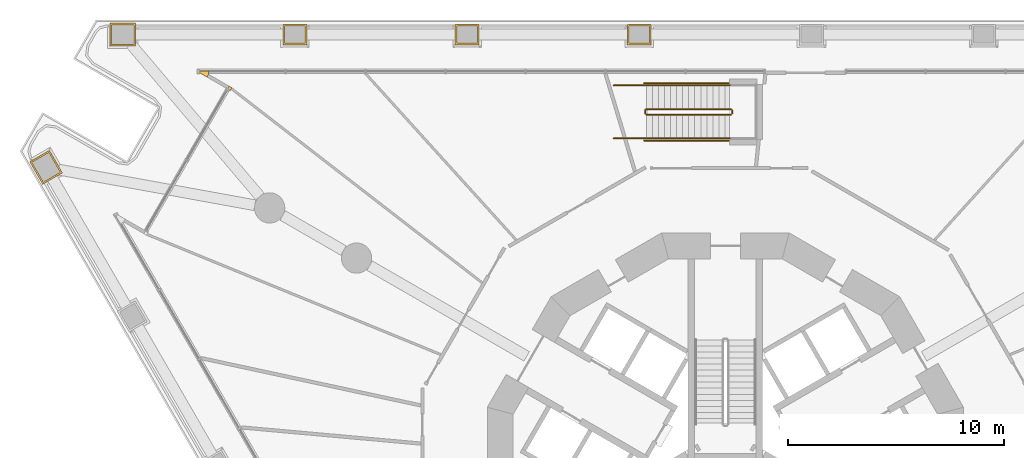
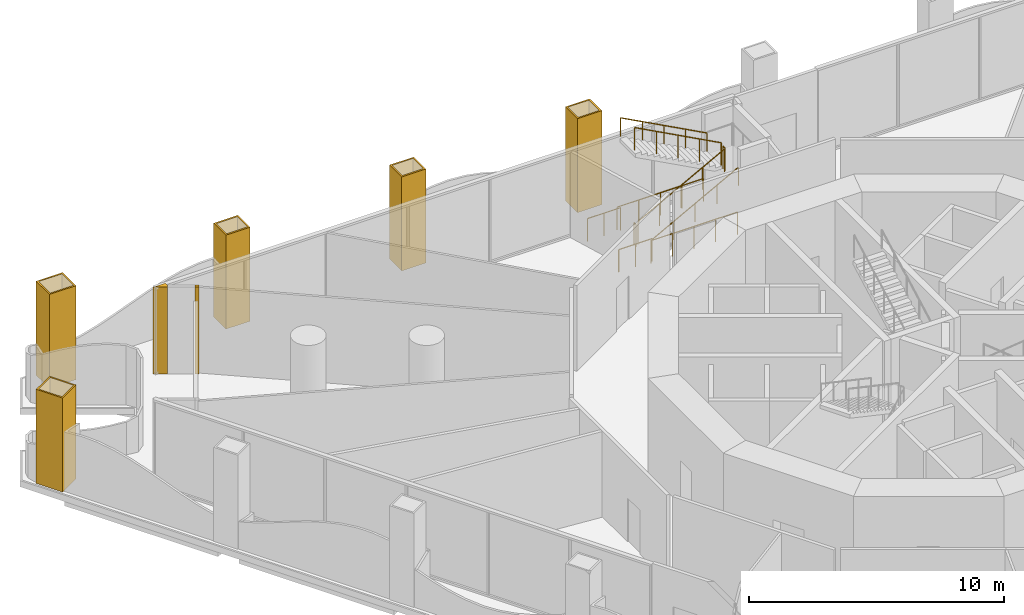
# One storey, part 19 of 21: 10 railings, 7 coverings.
"""IFC4 building model written with IfcOpenShell, lengths in metres."""

from ifc_helpers import new_model, si_unit, direction, frame, origin, origin_2d, place, context, subcontext, project, spatial, polyline, circle, outline, extrude, material, layer, layer_set, type_object, element, save


model = new_model("IFC4")

# Units and contexts
model_context = context("Model", 3, precision=1e-05, world=origin(), true_north=direction((0.0, 1.0)))
body_context = subcontext(model_context, "Body", "Model", "MODEL_VIEW")
ifc_project = project(units=[si_unit("LENGTHUNIT", "METRE"), si_unit("AREAUNIT", "SQUARE_METRE"), si_unit("VOLUMEUNIT", "CUBIC_METRE"), si_unit("PLANEANGLEUNIT", "RADIAN"), si_unit("MASSUNIT", "GRAM", prefix="KILO")], contexts=[model_context])

# Site, building, storey
site_placement = place(None, origin())
site = spatial("IfcSite", under=ifc_project, at=site_placement, CompositionType="ELEMENT")
building_placement = place(site_placement, origin())
building = spatial("IfcBuilding", under=site, at=building_placement, Name="Trine Commons Tower", CompositionType="ELEMENT")
storey_placement = place(building_placement, frame((0.0, 0.0, 13.5)))
storey = spatial("IfcBuildingStorey", under=building, at=storey_placement, Name="L02", CompositionType="ELEMENT", Elevation=13.5)

# Railings
ifc_material_1 = material(Name="Structural steel ASTM A500 Gr C", Category="steel")
railing_type_1 = type_object("IfcRailingType", Name="Glass and steel guard 1100 mm, ASTM A500 Gr C", PredefinedType="GUARDRAIL", material=ifc_material_1)
railing_1_placement = place(storey_placement, frame((76.340087890625, 78.985107421875, 0.14990234375)))
element("IfcRailing", 1, at=railing_1_placement, inside=storey, type_object=railing_type_1, Name="L02 PS1 stair guard 1", PredefinedType="GUARDRAIL", context=body_context, shape_type="SweptSolid", body=[
    extrude(circle(Radius=0.02392578125, at=origin_2d()), frame((0.0, 0.0, 1.076171875), z_axis=(0.881466911329, 0.0, 0.472245787945), x_axis=(0.0, 1.0, 0.0)), (0.0, 0.0, 1.0), 4.447021484375),
    extrude(circle(Radius=0.02099609375, at=origin_2d()), origin(), (0.0, 0.0, 1.0), 1.052001953125),
    extrude(circle(Radius=0.02099609375, at=origin_2d()), frame((0.97998046875, 0.0, 0.52490234375)), (0.0, 0.0, 1.0), 1.052001953125),
    extrude(circle(Radius=0.02099609375, at=origin_2d()), frame((1.9599609375, 0.0, 1.050048828125)), (0.0, 0.0, 1.0), 1.052001953125),
    extrude(circle(Radius=0.02099609375, at=origin_2d()), frame((2.93994140625, 0.0, 1.5751953125)), (0.0, 0.0, 1.0), 1.052001953125),
    extrude(circle(Radius=0.02099609375, at=origin_2d()), frame((3.919921875, 0.0, 2.10009765625)), (0.0, 0.0, 1.0), 1.052001953125),
])
railing_2_placement = place(storey_placement, frame((80.31005859375, 79.034912109375, 2.25)))
element("IfcRailing", 2, at=railing_2_placement, inside=storey, type_object=railing_type_1, Name="L02 PS1 stair guard 2", PredefinedType="GUARDRAIL", context=body_context, shape_type="SweptSolid", body=[
    extrude(circle(Radius=0.02392578125, at=origin_2d()), frame((0.0, 0.0, 1.076171875), z_axis=(0.0, 1.0, 0.0), x_axis=(-1.0, 0.0, 0.0)), (0.0, 0.0, 1.0), 0.150146484375),
    extrude(circle(Radius=0.02099609375, at=origin_2d()), origin(), (0.0, 0.0, 1.0), 1.052001953125),
    extrude(circle(Radius=0.02099609375, at=origin_2d()), frame((0.0, 0.150146484375, 0.0)), (0.0, 0.0, 1.0), 1.052001953125),
])
railing_3_placement = place(storey_placement, frame((80.260009765625, 79.235107421875, 2.39990234375)))
element("IfcRailing", 3, at=railing_3_placement, inside=storey, type_object=railing_type_1, Name="L02 PS1 stair guard 6", PredefinedType="GUARDRAIL", context=body_context, shape_type="SweptSolid", body=[
    extrude(circle(Radius=0.02392578125, at=origin_2d()), frame((0.0, 0.0, 1.076171875), z_axis=(-0.881466911329, 0.0, 0.472245787945), x_axis=(0.0, -1.0, 0.0)), (0.0, 0.0, 1.0), 4.447021484375),
    extrude(circle(Radius=0.02099609375, at=origin_2d()), origin(), (0.0, 0.0, 1.0), 1.052001953125),
    extrude(circle(Radius=0.02099609375, at=origin_2d()), frame((-0.97998046875, 0.0, 0.52490234375)), (0.0, 0.0, 1.0), 1.052001953125),
    extrude(circle(Radius=0.02099609375, at=origin_2d()), frame((-1.9599609375, 0.0, 1.050048828125)), (0.0, 0.0, 1.0), 1.052001953125),
    extrude(circle(Radius=0.02099609375, at=origin_2d()), frame((-2.93994140625, 0.0, 1.5751953125)), (0.0, 0.0, 1.0), 1.052001953125),
    extrude(circle(Radius=0.02099609375, at=origin_2d()), frame((-3.919921875, 0.0, 2.10009765625)), (0.0, 0.0, 1.0), 1.052001953125),
])
railing_4_placement = place(storey_placement, frame((76.2900390625, 79.034912109375, 0.0)))
element("IfcRailing", 4, at=railing_4_placement, inside=storey, type_object=railing_type_1, Name="L02 PS1 stair guard 7", PredefinedType="GUARDRAIL", context=body_context, shape_type="SweptSolid", body=[
    extrude(circle(Radius=0.02392578125, at=origin_2d()), frame((0.0, 0.0, 1.076171875), z_axis=(0.0, 1.0, 0.0), x_axis=(-1.0, 0.0, 0.0)), (0.0, 0.0, 1.0), 0.150146484375),
    extrude(circle(Radius=0.02099609375, at=origin_2d()), origin(), (0.0, 0.0, 1.0), 1.052001953125),
    extrude(circle(Radius=0.02099609375, at=origin_2d()), frame((0.0, 0.150146484375, 0.0)), (0.0, 0.0, 1.0), 1.052001953125),
])
for number, where, name in (
    (5, (74.840087890625, 77.885009765625, 0.0), "L02 PS1 stair guard 8"),
    (6, (74.840087890625, 80.3349609375, 0.0), "L02 PS1 stair guard 9"),
):
    element("IfcRailing", number, at=place(storey_placement, frame(where)), inside=storey, type_object=railing_type_1, Name=name, PredefinedType="GUARDRAIL", context=body_context, shape_type="SweptSolid", body=[
        extrude(circle(Radius=0.02392578125, at=origin_2d()), frame((0.0, 0.0, 1.076171875), z_axis=(1.0, 0.0, 0.0), x_axis=(0.0, 1.0, 0.0)), (0.0, 0.0, 1.0), 1.5),
        extrude(circle(Radius=0.02099609375, at=origin_2d()), origin(), (0.0, 0.0, 1.0), 1.052001953125),
        extrude(circle(Radius=0.02099609375, at=origin_2d()), frame((0.75, 0.0, 0.0)), (0.0, 0.0, 1.0), 1.052001953125),
        extrude(circle(Radius=0.02099609375, at=origin_2d()), frame((1.5, 0.0, 0.0)), (0.0, 0.0, 1.0), 1.052001953125),
    ])
for number, where, name in (
    (7, (76.239990234375, 77.784912109375, 0.0), "L02 PS1 stair guard 10"),
    (8, (76.239990234375, 80.43505859375, 0.0), "L02 PS1 stair guard 11"),
):
    element("IfcRailing", number, at=place(storey_placement, frame(where)), inside=storey, type_object=railing_type_1, Name=name, PredefinedType="GUARDRAIL", context=body_context, shape_type="SweptSolid", body=[
        extrude(circle(Radius=0.02392578125, at=origin_2d()), frame((0.0, 0.0, 1.076171875), z_axis=(1.0, 0.0, 0.0), x_axis=(0.0, 1.0, 0.0)), (0.0, 0.0, 1.0), 3.909912109375),
        extrude(circle(Radius=0.02099609375, at=origin_2d()), origin(), (0.0, 0.0, 1.0), 1.052001953125),
        extrude(circle(Radius=0.02099609375, at=origin_2d()), frame((0.9775390625, 0.0, 0.0)), (0.0, 0.0, 1.0), 1.052001953125),
        extrude(circle(Radius=0.02099609375, at=origin_2d()), frame((1.955078125, 0.0, 0.0)), (0.0, 0.0, 1.0), 1.052001953125),
        extrude(circle(Radius=0.02099609375, at=origin_2d()), frame((2.932373046875, 0.0, 0.0)), (0.0, 0.0, 1.0), 1.052001953125),
        extrude(circle(Radius=0.02099609375, at=origin_2d()), frame((3.909912109375, 0.0, 0.0)), (0.0, 0.0, 1.0), 1.052001953125),
    ])

# Coverings
ifc_material_2 = material(Name="Aluminium-framed insulated wall panel", Category="aluminium")
ifc_layer_1 = layer(ifc_material_2, 0.14990234375)
ifc_layer_set_1 = layer_set([ifc_layer_1], Name="Aluminium-framed insulated wall panel")
covering_type_1 = type_object("IfcCoveringType", Name="Glazing corner post, aluminium", PredefinedType="CLADDING", material=ifc_layer_set_1)
covering_1_placement = place(storey_placement, origin())
element("IfcCovering", 9, at=covering_1_placement, inside=storey, type_object=covering_type_1, Name="Glazing corner post 1-03", PredefinedType="CLADDING", context=body_context, shape_type="SweptSolid", body=[
    extrude(outline(polyline([(57.101318359375, 80.0966796875), (57.176513671875, 80.226806640625), (57.04638671875, 80.3017578125), (56.971435546875, 80.171875), (57.101318359375, 80.0966796875)])), origin(), (0.0, 0.0, 1.0), 4.14990234375),
])
covering_2_placement = place(storey_placement, origin())
element("IfcCovering", 10, at=covering_2_placement, inside=storey, type_object=covering_type_1, Name="Glazing corner post 1-04", PredefinedType="CLADDING", context=body_context, shape_type="SweptSolid", body=[
    extrude(outline(polyline([(56.03125, 80.714599609375), (56.106201171875, 80.844482421875), (56.106201171875, 80.99462890625), (55.54638671875, 80.99462890625), (56.03125, 80.714599609375)])), origin(), (0.0, 0.0, 1.0), 4.14990234375),
])
ifc_material_3 = material(Name="Limestone, honed", Category="masonry")
ifc_layer_2 = layer(ifc_material_3, 0.074951171875)
ifc_layer_set_2 = layer_set([ifc_layer_2], Name="Limestone, honed")
covering_type_2 = type_object("IfcCoveringType", Name="Limestone column cladding 75", PredefinedType="CLADDING", material=ifc_layer_set_2)
covering_3_placement = place(storey_placement, origin())
element("IfcCovering", 11, at=covering_3_placement, inside=storey, type_object=covering_type_2, Name="Limestone pier cladding 1-08", PredefinedType="CLADDING", context=body_context, shape_type="SweptSolid", body=[
    extrude(outline(polyline([(48.73828125, 77.327392578125), (47.8291015625, 76.802490234375), (48.428955078125, 75.76318359375), (49.33837890625, 76.288330078125), (48.73828125, 77.327392578125)]), holes=[polyline([(48.7109375, 77.22509765625), (47.931396484375, 76.775146484375), (48.45654296875, 75.86572265625), (49.23583984375, 76.315673828125), (48.7109375, 77.22509765625)])]), origin(), (0.0, 0.0, 1.0), 4.5),
])
covering_4_placement = place(storey_placement, origin())
element("IfcCovering", 12, at=covering_4_placement, inside=storey, type_object=covering_type_2, Name="Limestone pier cladding 1-09", PredefinedType="CLADDING", context=body_context, shape_type="SweptSolid", body=[
    extrude(outline(polyline([(52.728271484375, 82.15966796875), (52.728271484375, 83.209716796875), (51.5283203125, 83.209716796875), (51.5283203125, 82.15966796875), (52.728271484375, 82.15966796875)]), holes=[polyline([(52.6533203125, 82.234619140625), (52.6533203125, 83.134521484375), (51.603271484375, 83.134521484375), (51.603271484375, 82.234619140625), (52.6533203125, 82.234619140625)])]), origin(), (0.0, 0.0, 1.0), 4.5),
])
covering_5_placement = place(storey_placement, origin())
element("IfcCovering", 13, at=covering_5_placement, inside=storey, type_object=covering_type_2, Name="Limestone pier cladding 1-10", PredefinedType="CLADDING", context=body_context, shape_type="SweptSolid", body=[
    extrude(outline(polyline([(60.6416015625, 82.209716796875), (60.6416015625, 83.15966796875), (59.54150390625, 83.15966796875), (59.54150390625, 82.209716796875), (60.6416015625, 82.209716796875)]), holes=[polyline([(60.566650390625, 82.28466796875), (60.566650390625, 83.084716796875), (59.61669921875, 83.084716796875), (59.61669921875, 82.28466796875), (60.566650390625, 82.28466796875)])]), origin(), (0.0, 0.0, 1.0), 4.5),
])
covering_6_placement = place(storey_placement, origin())
element("IfcCovering", 14, at=covering_6_placement, inside=storey, type_object=covering_type_2, Name="Limestone pier cladding 1-11", PredefinedType="CLADDING", context=body_context, shape_type="SweptSolid", body=[
    extrude(outline(polyline([(68.60498046875, 82.209716796875), (68.60498046875, 83.15966796875), (67.5048828125, 83.15966796875), (67.5048828125, 82.209716796875), (68.60498046875, 82.209716796875)]), holes=[polyline([(68.52978515625, 82.28466796875), (68.52978515625, 83.084716796875), (67.579833984375, 83.084716796875), (67.579833984375, 82.28466796875), (68.52978515625, 82.28466796875)])]), origin(), (0.0, 0.0, 1.0), 4.5),
])
covering_7_placement = place(storey_placement, origin())
element("IfcCovering", 15, at=covering_7_placement, inside=storey, type_object=covering_type_2, Name="Limestone pier cladding 1-12", PredefinedType="CLADDING", context=body_context, shape_type="SweptSolid", body=[
    extrude(outline(polyline([(76.568359375, 82.209716796875), (76.568359375, 83.15966796875), (75.46826171875, 83.15966796875), (75.46826171875, 82.209716796875), (76.568359375, 82.209716796875)]), holes=[polyline([(76.493408203125, 82.28466796875), (76.493408203125, 83.084716796875), (75.543212890625, 83.084716796875), (75.543212890625, 82.28466796875), (76.493408203125, 82.28466796875)])]), origin(), (0.0, 0.0, 1.0), 4.5),
])

# Railings
railing_type_2 = type_object("IfcRailingType", Name="Podium stair handrail 900 mm, ASTM A500 Gr C", PredefinedType="HANDRAIL", material=ifc_material_1)
railing_5_placement = place(storey_placement, frame((76.340087890625, 77.885009765625, 0.14990234375)))
element("IfcRailing", 16, at=railing_5_placement, inside=storey, type_object=railing_type_2, Name="L02 PS1 stair handrail 1", PredefinedType="HANDRAIL", context=body_context, shape_type="SweptSolid", body=[
    extrude(circle(Radius=0.02392578125, at=origin_2d()), frame((0.0, 0.0, 0.8759765625), z_axis=(0.881466911329, 0.0, 0.472245787945), x_axis=(0.0, 1.0, 0.0)), (0.0, 0.0, 1.0), 4.447021484375),
    extrude(circle(Radius=0.02099609375, at=origin_2d()), origin(), (0.0, 0.0, 1.0), 0.851806640625),
    extrude(circle(Radius=0.02099609375, at=origin_2d()), frame((0.97998046875, 0.0, 0.52490234375)), (0.0, 0.0, 1.0), 0.851806640625),
    extrude(circle(Radius=0.02099609375, at=origin_2d()), frame((1.9599609375, 0.0, 1.050048828125)), (0.0, 0.0, 1.0), 0.851806640625),
    extrude(circle(Radius=0.02099609375, at=origin_2d()), frame((2.93994140625, 0.0, 1.5751953125)), (0.0, 0.0, 1.0), 0.851806640625),
    extrude(circle(Radius=0.02099609375, at=origin_2d()), frame((3.919921875, 0.0, 2.10009765625)), (0.0, 0.0, 1.0), 0.851806640625),
])
railing_6_placement = place(storey_placement, frame((80.260009765625, 80.3349609375, 2.39990234375)))
element("IfcRailing", 17, at=railing_6_placement, inside=storey, type_object=railing_type_2, Name="L02 PS1 stair handrail 2", PredefinedType="HANDRAIL", context=body_context, shape_type="SweptSolid", body=[
    extrude(circle(Radius=0.02392578125, at=origin_2d()), frame((0.0, 0.0, 0.8759765625), z_axis=(-0.881466911329, 0.0, 0.472245787945), x_axis=(0.0, -1.0, 0.0)), (0.0, 0.0, 1.0), 4.447021484375),
    extrude(circle(Radius=0.02099609375, at=origin_2d()), origin(), (0.0, 0.0, 1.0), 0.851806640625),
    extrude(circle(Radius=0.02099609375, at=origin_2d()), frame((-0.97998046875, 0.0, 0.52490234375)), (0.0, 0.0, 1.0), 0.851806640625),
    extrude(circle(Radius=0.02099609375, at=origin_2d()), frame((-1.9599609375, 0.0, 1.050048828125)), (0.0, 0.0, 1.0), 0.851806640625),
    extrude(circle(Radius=0.02099609375, at=origin_2d()), frame((-2.93994140625, 0.0, 1.5751953125)), (0.0, 0.0, 1.0), 0.851806640625),
    extrude(circle(Radius=0.02099609375, at=origin_2d()), frame((-3.919921875, 0.0, 2.10009765625)), (0.0, 0.0, 1.0), 0.851806640625),
])

save(model, "model.ifc")
